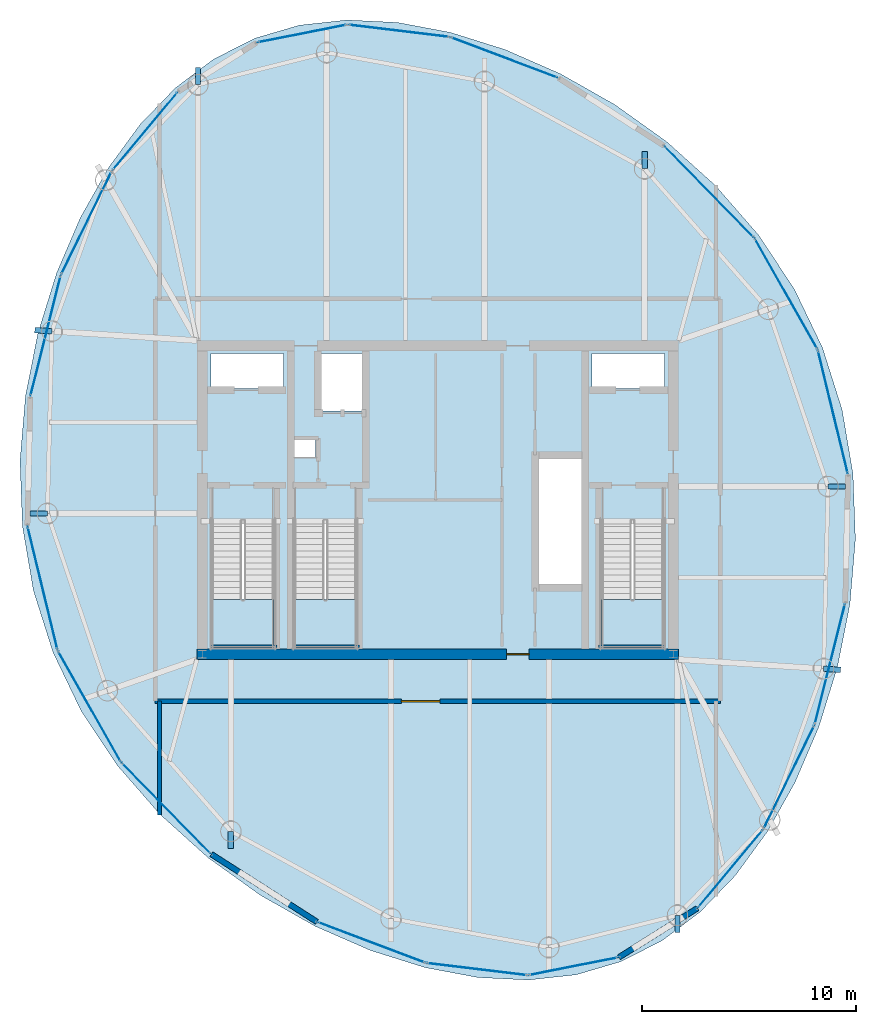
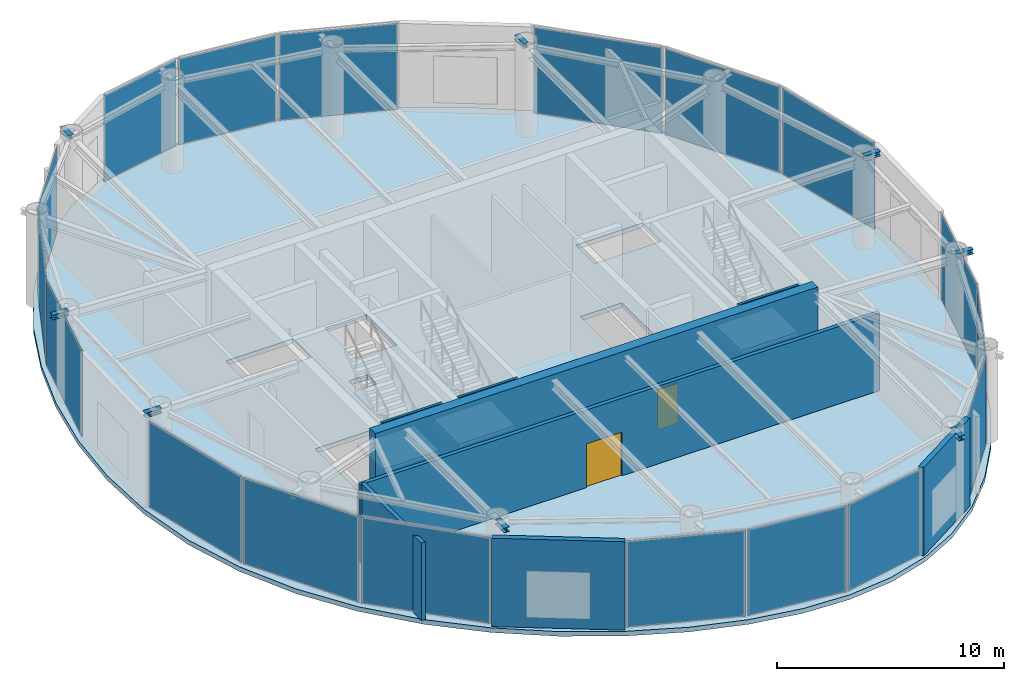
# One storey, part 17 of 23: 18 plates, 8 beams, 8 walls, 4 slabs, 2 doors, 2 openings, 21 elements without a shape of their own.
"""IFC4 building model written with IfcOpenShell, lengths in metres."""

import ifcopenshell
import ifcopenshell.guid

model = None  # the IFC model being written
_history = None  # IfcOwnerHistory: only IFC2X3 demands one
_inside = {}  # id of a spatial element -> (the spatial element, [elements in it])
_under = {}  # id of a project, library or spatial element -> (it, [spatial elements below it])
_declared = {}  # id of a project -> (the project, [libraries it declares])
_typed = {}  # id of a type object -> (the type object, [elements of that type])
_made_of = {}  # id of a material, layer set ... -> (it, [elements and type objects made of it])


def new_model(schema):
    """Start an empty IFC model of exactly this schema.

    Asked for "IFC4X3", IfcOpenShell would pick the latest addendum, in which some entities
    have other attributes; the version numbers below select the first issue.
    IFC2X3 requires an IfcOwnerHistory on every rooted entity: one is made here for all.
    """
    global model, _history
    if schema == "IFC4X3":
        model = ifcopenshell.file(schema_version=(4, 3, 0, 0))
    else:
        model = ifcopenshell.file(schema=schema)
    _inside.clear()
    _under.clear()
    _declared.clear()
    _typed.clear()
    _made_of.clear()
    _history = None
    if model.schema == "IFC2X3":
        org = make("IfcOrganization", Name="unknown")
        user = make(
            "IfcPersonAndOrganization",
            ThePerson=make("IfcPerson", FamilyName="unknown"),
            TheOrganization=org,
        )
        app = make(
            "IfcApplication",
            ApplicationDeveloper=org,
            Version="unknown",
            ApplicationFullName="unknown",
            ApplicationIdentifier="unknown",
        )
        _history = make(
            "IfcOwnerHistory",
            OwningUser=user,
            OwningApplication=app,
            ChangeAction="ADDED",
            CreationDate=0,
        )
    return model


def make(cls, **values):
    """One entity of the class cls with the attributes given. An attribute that is None is left unset."""
    return model.create_entity(
        cls, **{name: value for name, value in values.items() if value is not None}
    )


def rooted(cls, **values):
    """An entity with a GlobalId (a new one), such as an element, a storey or a relation."""
    return make(cls, GlobalId=ifcopenshell.guid.new(), OwnerHistory=_history, **values)


def si_unit(unit_type, name, prefix=None):
    """IfcSIUnit, for example si_unit("LENGTHUNIT", "METRE", prefix="MILLI")."""
    return make("IfcSIUnit", UnitType=unit_type, Prefix=prefix, Name=name)


def assignment(units):
    """IfcUnitAssignment: the units of a project."""
    return None if units is None else make("IfcUnitAssignment", Units=units)


def point(xyz):
    """IfcCartesianPoint."""
    return None if xyz is None else make("IfcCartesianPoint", Coordinates=xyz)


def direction(xyz):
    """IfcDirection."""
    return None if xyz is None else make("IfcDirection", DirectionRatios=xyz)


def frame(location, z_axis=None, x_axis=None):
    """IfcAxis2Placement3D, a coordinate frame: its origin and axes. An axis left out is left unset."""
    return make(
        "IfcAxis2Placement3D",
        Location=point(location),
        Axis=direction(z_axis),
        RefDirection=direction(x_axis),
    )


def frame_2d(location, x_axis=None):
    """IfcAxis2Placement2D, a coordinate frame in the plane: its origin and x axis."""
    return make(
        "IfcAxis2Placement2D", Location=point(location), RefDirection=direction(x_axis)
    )


def origin():
    """The frame at (0, 0, 0) with its axes left unset."""
    return frame((0.0, 0.0, 0.0))


def origin_2d():
    """The frame at (0, 0) in the plane with its x axis left unset."""
    return frame_2d((0.0, 0.0))


def place(relative_to, where):
    """IfcLocalPlacement: puts the frame where relative to a parent placement (None: the world)."""
    return make(
        "IfcLocalPlacement", PlacementRelTo=relative_to, RelativePlacement=where
    )


def context(
    kind, dimensions, precision=None, world=None, true_north=None, identifier=None
):
    """IfcGeometricRepresentationContext, for example the 3D "Model" context."""
    return make(
        "IfcGeometricRepresentationContext",
        ContextIdentifier=identifier,
        ContextType=kind,
        CoordinateSpaceDimension=dimensions,
        Precision=precision,
        WorldCoordinateSystem=world,
        TrueNorth=true_north,
    )


def subcontext(parent, identifier, kind, view, scale=None):
    """IfcGeometricRepresentationSubContext, for example "Body" below "Model"."""
    return make(
        "IfcGeometricRepresentationSubContext",
        ContextIdentifier=identifier,
        ContextType=kind,
        ParentContext=parent,
        TargetScale=scale,
        TargetView=view,
    )


def project(units=None, contexts=None):
    """IfcProject with its units and contexts."""
    return rooted(
        "IfcProject",
        Name="project",
        RepresentationContexts=contexts,
        UnitsInContext=assignment(units),
    )


def spatial(cls, under=None, at=None, **own):
    """A site, building, storey or space (cls), placed at a placement, below another one or the project."""
    s = rooted(cls, ObjectPlacement=at, **own)
    if under is not None:
        _under.setdefault(under.id(), (under, []))[1].append(s)
    return s


def polyline(points):
    """IfcPolyline through the points."""
    return make("IfcPolyline", Points=[point(p) for p in points])


def profile(cls, at=None, kind="AREA", **sizes):
    """A parametric profile (cls). Its sizes go by their IFC names, for example OverallWidth=200.0."""
    return make(cls, ProfileType=kind, Position=at, **sizes)


def rectangle(**sizes):
    """IfcRectangleProfileDef."""
    return profile("IfcRectangleProfileDef", **sizes)


def i_section(**sizes):
    """IfcIShapeProfileDef."""
    return profile("IfcIShapeProfileDef", **sizes)


def outline(outer, holes=None, kind="AREA"):
    """IfcArbitraryClosedProfileDef: a profile drawn as a closed curve; with holes, ...WithVoids."""
    if holes is None:
        return make("IfcArbitraryClosedProfileDef", ProfileType=kind, OuterCurve=outer)
    return make(
        "IfcArbitraryProfileDefWithVoids",
        ProfileType=kind,
        OuterCurve=outer,
        InnerCurves=holes,
    )


def extrude(swept, where, along, depth):
    """IfcExtrudedAreaSolid: the profile swept, set in the frame where, extruded along a direction by depth."""
    return make(
        "IfcExtrudedAreaSolid",
        SweptArea=swept,
        Position=where,
        ExtrudedDirection=direction(along),
        Depth=depth,
    )


def shape(context_of_items, identifier, shape_type, items):
    """IfcShapeRepresentation: the items that make up one representation, for example the "Body"."""
    return make(
        "IfcShapeRepresentation",
        ContextOfItems=context_of_items,
        RepresentationIdentifier=identifier,
        RepresentationType=shape_type,
        Items=items,
    )


def material(Name=None, Category=None):
    """IfcMaterial."""
    return make("IfcMaterial", Name=Name, Category=Category)


def layer(
    of_material, thickness, ventilated=None, Name=None, Category=None, Priority=None
):
    """IfcMaterialLayer: one layer of a wall or slab, of a material (None: an air gap)."""
    return make(
        "IfcMaterialLayer",
        Material=of_material,
        LayerThickness=thickness,
        IsVentilated=ventilated,
        Name=Name,
        Category=Category,
        Priority=Priority,
    )


def layer_set(layers, Name=None):
    """IfcMaterialLayerSet."""
    return make("IfcMaterialLayerSet", MaterialLayers=layers, LayerSetName=Name)


def material_profile(
    of_material, cross_section, Name=None, Category=None, Priority=None
):
    """IfcMaterialProfile: a cross section and its material."""
    return make(
        "IfcMaterialProfile",
        Name=Name,
        Material=of_material,
        Profile=cross_section,
        Priority=Priority,
        Category=Category,
    )


def profile_set(profiles, Name=None, composite=None):
    """IfcMaterialProfileSet."""
    return make(
        "IfcMaterialProfileSet",
        Name=Name,
        MaterialProfiles=profiles,
        CompositeProfile=composite,
    )


def made_of(thing, what):
    """Note that an element or type object is made of a material, layer set ...; save() writes the relation."""
    if what is not None:
        _made_of.setdefault(what.id(), (what, []))[1].append(thing)
    return thing


def type_object(cls, material=None, **own):
    """A type object (cls), such as IfcWallType, which elements share."""
    return made_of(rooted(cls, **own), material)


def element(
    cls,
    number,
    at=None,
    inside=None,
    cuts=None,
    type_object=None,
    material=None,
    context=None,
    identifier="Body",
    shape_type=None,
    held_by="IfcProductDefinitionShape",
    body=None,
    shapes=None,
    **own,
):
    """One element of the class cls, such as IfcWall. Its Tag is "e" and its number.

    at: its placement. inside: the storey or other place that contains it. cuts: it is an
    opening in that element (IfcRelVoidsElement). A single representation is given by context,
    identifier, shape_type and body (its items); several are given by shapes. held_by: the class
    of the entity that holds the representations. save() writes the other relations.
    """
    e = rooted(cls, Tag="e%d" % number, ObjectPlacement=at, **own)
    if body is not None:
        shapes = [shape(context, identifier, shape_type, body)]
    if shapes is not None:
        e.Representation = make(held_by, Representations=shapes)
    if inside is not None:
        _inside.setdefault(inside.id(), (inside, []))[1].append(e)
    if cuts is not None:
        rooted(
            "IfcRelVoidsElement", RelatingBuildingElement=cuts, RelatedOpeningElement=e
        )
    if type_object is not None:
        _typed.setdefault(type_object.id(), (type_object, []))[1].append(e)
    return made_of(e, material)


def fill(opening, filler):
    """IfcRelFillsElement: the door or window that sits in an opening."""
    return rooted(
        "IfcRelFillsElement",
        RelatingOpeningElement=opening,
        RelatedBuildingElement=filler,
    )


def aggregate(whole, parts):
    """IfcRelAggregates: a whole, such as a stair, and the parts it consists of."""
    return rooted("IfcRelAggregates", RelatingObject=whole, RelatedObjects=parts)


def save(model, path):
    """Write the relations noted so far, then the file.

    IfcRelAggregates (storeys below a building ...), IfcRelContainedInSpatialStructure (elements
    in a storey), IfcRelDefinesByType, IfcRelAssociatesMaterial and IfcRelDeclares: one each for
    every whole, place, type object, material and project.
    """
    for whole, parts in _under.values():
        aggregate(whole, parts)
    for where, things in _inside.values():
        rooted(
            "IfcRelContainedInSpatialStructure",
            RelatedElements=things,
            RelatingStructure=where,
        )
    for kind, things in _typed.values():
        rooted("IfcRelDefinesByType", RelatedObjects=things, RelatingType=kind)
    for what, things in _made_of.values():
        rooted("IfcRelAssociatesMaterial", RelatedObjects=things, RelatingMaterial=what)
    for by, libraries in _declared.values():
        rooted("IfcRelDeclares", RelatingContext=by, RelatedDefinitions=libraries)
    model.write(path)


model = new_model("IFC4")

# Units and contexts
model_context = context("Model", 3, precision=1e-05, world=origin(), true_north=direction((0.0, 1.0)))
body_context = subcontext(model_context, "Body", "Model", "MODEL_VIEW")
ifc_project = project(units=[si_unit("LENGTHUNIT", "METRE"), si_unit("AREAUNIT", "SQUARE_METRE"), si_unit("VOLUMEUNIT", "CUBIC_METRE"), si_unit("PLANEANGLEUNIT", "RADIAN"), si_unit("MASSUNIT", "GRAM", prefix="KILO")], contexts=[model_context])

# Site, building, storey
site_placement = place(None, origin())
site = spatial("IfcSite", under=ifc_project, at=site_placement, CompositionType="ELEMENT")
building_placement = place(site_placement, origin())
building = spatial("IfcBuilding", under=site, at=building_placement, Name="Bramvorn Convention Spire", CompositionType="ELEMENT")
storey_placement = place(building_placement, frame((0.0, 0.0, 307.5)))
storey = spatial("IfcBuildingStorey", under=building, at=storey_placement, Name="L78", CompositionType="ELEMENT", Elevation=307.5)

# Beams
ifc_material_1 = material(Name="Steel CSA G40.21 Grade 350 (350W)", Category="steel")
ifc_material_profile = material_profile(ifc_material_1, i_section(OverallWidth=0.25390625, OverallDepth=0.2529296875, WebThickness=0.008544921875, FlangeThickness=0.01416015625, FilletRadius=0.011962890625, at=origin_2d()))
ifc_profile_set = profile_set([ifc_material_profile], Name="Steel CSA G40.21 Grade 350 (350W) - W250X73")
beam_type = type_object("IfcBeamType", Name="BM-W250X73", PredefinedType="BEAM", material=ifc_profile_set)
for number, where, z_axis, x_axis, name in (
    (1, (49.199951171875, 6.60107421875, 4.62353515625), (0.0, -1.0, 0.0), (1.0, 0.0, 0.0), "L78 slab-edge cantilever tip beam MC01"),
    (2, (56.023681640625, 18.116455078125, 4.62353515625), (0.997963713083, -0.063784225087, 0.0), (0.063784225087, 0.997963713083, 0.0), "L78 slab-edge cantilever tip beam MC03"),
):
    element("IfcBeam", number, at=place(storey_placement, frame(where, z_axis=z_axis, x_axis=x_axis)), inside=storey, type_object=beam_type, Name=name, PredefinedType="BEAM", context=body_context, shape_type="SweptSolid", body=[
        extrude(i_section(OverallWidth=0.25390625, OverallDepth=0.2529296875, WebThickness=0.008544921875, FlangeThickness=0.01416015625, FilletRadius=0.011962890625, at=origin_2d()), origin(), (0.0, 0.0, 1.0), 0.800048828125),
    ])
beam_1_placement = place(storey_placement, frame((56.234619140625, 26.62939453125, 4.62353515625), z_axis=(1.0, 0.0, 0.0), x_axis=(0.0, 1.0, 0.0)))
element("IfcBeam", 3, at=beam_1_placement, inside=storey, type_object=beam_type, Name="L78 slab-edge cantilever tip beam MC04", PredefinedType="BEAM", context=body_context, shape_type="SweptSolid", body=[
    extrude(i_section(OverallWidth=0.25390625, OverallDepth=0.2529296875, WebThickness=0.008544921875, FlangeThickness=0.01416015625, FilletRadius=0.011962890625, at=origin_2d()), origin(), (0.0, 0.0, 1.0), 0.81298828125),
])
for number, where, z_axis, x_axis, name in (
    (4, (47.662353515625, 41.476806640625, 4.62353515625), (0.0, 1.0, 0.0), (-1.0, 0.0, 0.0), "L78 slab-edge cantilever tip beam MC06"),
    (5, (26.800048828125, 45.39892578125, 4.62353515625), (0.0, 1.0, 0.0), (-1.0, 0.0, 0.0), "L78 slab-edge cantilever tip beam MC09"),
    (6, (19.976318359375, 33.883544921875, 4.62353515625), (-0.997963713083, 0.063784225087, 0.0), (-0.063784225087, -0.997963713083, 0.0), "L78 slab-edge cantilever tip beam MC11"),
):
    element("IfcBeam", number, at=place(storey_placement, frame(where, z_axis=z_axis, x_axis=x_axis)), inside=storey, type_object=beam_type, Name=name, PredefinedType="BEAM", context=body_context, shape_type="SweptSolid", body=[
        extrude(i_section(OverallWidth=0.25390625, OverallDepth=0.2529296875, WebThickness=0.008544921875, FlangeThickness=0.01416015625, FilletRadius=0.011962890625, at=origin_2d()), origin(), (0.0, 0.0, 1.0), 0.800048828125),
    ])
beam_2_placement = place(storey_placement, frame((19.765380859375, 25.37060546875, 4.62353515625), z_axis=(-1.0, 0.0, 0.0), x_axis=(0.0, -1.0, 0.0)))
element("IfcBeam", 7, at=beam_2_placement, inside=storey, type_object=beam_type, Name="L78 slab-edge cantilever tip beam MC12", PredefinedType="BEAM", context=body_context, shape_type="SweptSolid", body=[
    extrude(i_section(OverallWidth=0.25390625, OverallDepth=0.2529296875, WebThickness=0.008544921875, FlangeThickness=0.01416015625, FilletRadius=0.011962890625, at=origin_2d()), origin(), (0.0, 0.0, 1.0), 0.81298828125),
])
beam_3_placement = place(storey_placement, frame((28.337646484375, 10.523193359375, 4.62353515625), z_axis=(0.0, -1.0, 0.0), x_axis=(1.0, 0.0, 0.0)))
element("IfcBeam", 8, at=beam_3_placement, inside=storey, type_object=beam_type, Name="L78 slab-edge cantilever tip beam MC14", PredefinedType="BEAM", context=body_context, shape_type="SweptSolid", body=[
    extrude(i_section(OverallWidth=0.25390625, OverallDepth=0.2529296875, WebThickness=0.008544921875, FlangeThickness=0.01416015625, FilletRadius=0.011962890625, at=origin_2d()), origin(), (0.0, 0.0, 1.0), 0.800048828125),
])

# Curtain wall, plate
ifc_material_2 = material(Name="Anodised Bronze Unitised Curtain Wall", Category="aluminium")
ifc_layer_1 = layer(ifc_material_2, 0.199951171875)
ifc_layer_set_1 = layer_set([ifc_layer_1], Name="Anodised Bronze Unitised Curtain Wall - CW-PLANT-LOUVRE")
curtain_wall_type = type_object("IfcCurtainWallType", Name="CW-PLANT-LOUVRE", PredefinedType="USERDEFINED", material=ifc_layer_set_1)
curtain_wall_1_placement = place(storey_placement, origin())
curtain_wall_1 = element("IfcCurtainWall", 9, at=curtain_wall_1_placement, inside=storey, type_object=curtain_wall_type, Name="L78 fritted glass curtain wall 02", ObjectType="UNITISED CURTAIN WALL", PredefinedType="USERDEFINED")
ifc_material_3 = material(Name="Laminated Low-E Glass (Triple IGU High-VLT Low-Iron 22%)", Category="glass")
ifc_layer_2 = layer(ifc_material_3, 0.0419921875)
ifc_layer_set_2 = layer_set([ifc_layer_2], Name="Laminated Low-E Glass (Triple IGU High-VLT Low-Iron 22%) - PNL-IGU-4")
plate_type = type_object("IfcPlateType", Name="PNL-IGU-4", PredefinedType="CURTAIN_PANEL", material=ifc_layer_set_2)
plate_1_placement = place(storey_placement, frame((51.673828125, 8.77490234375, 0.06005859375), z_axis=(0.0, 0.0, 1.0), x_axis=(-0.641400180364, -0.767206496733, 0.0)))
plate_1 = element("IfcPlate", 10, at=plate_1_placement, type_object=plate_type, Name="CW5 panel 1.1", PredefinedType="CURTAIN_PANEL", context=body_context, shape_type="SweptSolid", body=[
    extrude(rectangle(XDim=4.690673828125, YDim=0.028076171875, at=origin_2d()), origin(), (0.0, 0.0, 1.0), 4.6298828125),
])
aggregate(curtain_wall_1, [plate_1])

curtain_wall_2_placement = place(storey_placement, origin())
curtain_wall_2 = element("IfcCurtainWall", 11, at=curtain_wall_2_placement, inside=storey, type_object=curtain_wall_type, Name="L78 fritted glass curtain wall 03", ObjectType="UNITISED CURTAIN WALL", PredefinedType="USERDEFINED")
plate_2_placement = place(storey_placement, frame((54.4111328125, 13.05712890625, 0.06005859375), z_axis=(0.0, 0.0, 1.0), x_axis=(-0.440139449377, -0.897929432139, 0.0)))
plate_2 = element("IfcPlate", 12, at=plate_2_placement, type_object=plate_type, Name="CW5 panel 1.1", PredefinedType="CURTAIN_PANEL", context=body_context, shape_type="SweptSolid", body=[
    extrude(rectangle(XDim=5.3076171875, YDim=0.028076171875, at=origin_2d()), origin(), (0.0, 0.0, 1.0), 4.6298828125),
])
aggregate(curtain_wall_2, [plate_2])

curtain_wall_3_placement = place(storey_placement, origin())
curtain_wall_3 = element("IfcCurtainWall", 13, at=curtain_wall_3_placement, inside=storey, type_object=curtain_wall_type, Name="L78 fritted glass curtain wall 04", ObjectType="UNITISED CURTAIN WALL", PredefinedType="USERDEFINED")
plate_3_placement = place(storey_placement, frame((56.3203125, 18.33642578125, 0.06005859375), z_axis=(0.0, 0.0, 1.0), x_axis=(-0.243912156981, -0.969797329176, 0.0)))
plate_3 = element("IfcPlate", 14, at=plate_3_placement, type_object=plate_type, Name="CW5 panel 1.1", PredefinedType="CURTAIN_PANEL", context=body_context, shape_type="SweptSolid", body=[
    extrude(rectangle(XDim=5.741943359375, YDim=0.028076171875, at=origin_2d()), origin(), (0.0, 0.0, 1.0), 4.6298828125),
])
aggregate(curtain_wall_3, [plate_3])

curtain_wall_4_placement = place(storey_placement, origin())
curtain_wall_4 = element("IfcCurtainWall", 15, at=curtain_wall_4_placement, inside=storey, type_object=curtain_wall_type, Name="L78 fritted glass curtain wall 06", ObjectType="UNITISED CURTAIN WALL", PredefinedType="USERDEFINED")
plate_4_placement = place(storey_placement, frame((56.460693359375, 30.110595703125, 0.06005859375), z_axis=(0.0, 0.0, 1.0), x_axis=(0.235504713711, -0.971873206658, 0.0)))
plate_4 = element("IfcPlate", 16, at=plate_4_placement, type_object=plate_type, Name="CW5 panel 1.1", PredefinedType="CURTAIN_PANEL", context=body_context, shape_type="SweptSolid", body=[
    extrude(rectangle(XDim=5.8857421875, YDim=0.028076171875, at=origin_2d()), origin(), (0.0, 0.0, 1.0), 4.6298828125),
])
aggregate(curtain_wall_4, [plate_4])

curtain_wall_5_placement = place(storey_placement, origin())
curtain_wall_5 = element("IfcCurtainWall", 17, at=curtain_wall_5_placement, inside=storey, type_object=curtain_wall_type, Name="L78 fritted glass curtain wall 07", ObjectType="UNITISED CURTAIN WALL", PredefinedType="USERDEFINED")
plate_5_placement = place(storey_placement, frame((54.271240234375, 35.640625, 0.06005859375), z_axis=(0.0, 0.0, 1.0), x_axis=(0.493622878275, -0.869676062706, 0.0)))
plate_5 = element("IfcPlate", 18, at=plate_5_placement, type_object=plate_type, Name="CW5 panel 1.1", PredefinedType="CURTAIN_PANEL", context=body_context, shape_type="SweptSolid", body=[
    extrude(rectangle(XDim=5.8857421875, YDim=0.028076171875, at=origin_2d()), origin(), (0.0, 0.0, 1.0), 4.6298828125),
])
aggregate(curtain_wall_5, [plate_5])

curtain_wall_6_placement = place(storey_placement, origin())
curtain_wall_6 = element("IfcCurtainWall", 19, at=curtain_wall_6_placement, inside=storey, type_object=curtain_wall_type, Name="L78 fritted glass curtain wall 08", ObjectType="UNITISED CURTAIN WALL", PredefinedType="USERDEFINED")
plate_6_placement = place(storey_placement, frame((50.682373046875, 40.398681640625, 0.06005859375), z_axis=(0.0, 0.0, 1.0), x_axis=(0.700442155125, -0.713709175592, 0.0)))
plate_6 = element("IfcPlate", 20, at=plate_6_placement, type_object=plate_type, Name="CW5 panel 1.1", PredefinedType="CURTAIN_PANEL", context=body_context, shape_type="SweptSolid", body=[
    extrude(rectangle(XDim=5.89501953125, YDim=0.028076171875, at=origin_2d()), origin(), (0.0, 0.0, 1.0), 4.6298828125),
])
aggregate(curtain_wall_6, [plate_6])

curtain_wall_7_placement = place(storey_placement, origin())
curtain_wall_7 = element("IfcCurtainWall", 21, at=curtain_wall_7_placement, inside=storey, type_object=curtain_wall_type, Name="L78 fritted glass curtain wall 10", ObjectType="UNITISED CURTAIN WALL", PredefinedType="USERDEFINED")
plate_7_placement = place(storey_placement, frame((41.103271484375, 46.669189453125, 0.06005859375), z_axis=(0.0, 0.0, 1.0), x_axis=(0.935523383226, -0.353264772427, 0.0)))
plate_7 = element("IfcPlate", 22, at=plate_7_placement, type_object=plate_type, Name="CW5 panel 1.1", PredefinedType="CURTAIN_PANEL", context=body_context, shape_type="SweptSolid", body=[
    extrude(rectangle(XDim=5.3076171875, YDim=0.028076171875, at=origin_2d()), origin(), (0.0, 0.0, 1.0), 4.6298828125),
])
aggregate(curtain_wall_7, [plate_7])

curtain_wall_8_placement = place(storey_placement, origin())
curtain_wall_8 = element("IfcCurtainWall", 23, at=curtain_wall_8_placement, inside=storey, type_object=curtain_wall_type, Name="L78 fritted glass curtain wall 11", ObjectType="UNITISED CURTAIN WALL", PredefinedType="USERDEFINED")
plate_8_placement = place(storey_placement, frame((36.176513671875, 47.9169921875, 0.06005859375), z_axis=(0.0, 0.0, 1.0), x_axis=(0.992750477747, -0.120193547798, 0.0)))
plate_8 = element("IfcPlate", 24, at=plate_8_placement, type_object=plate_type, Name="CW5 panel 1.1", PredefinedType="CURTAIN_PANEL", context=body_context, shape_type="SweptSolid", body=[
    extrude(rectangle(XDim=4.690673828125, YDim=0.028076171875, at=origin_2d()), origin(), (0.0, 0.0, 1.0), 4.6298828125),
])
aggregate(curtain_wall_8, [plate_8])

curtain_wall_9_placement = place(storey_placement, origin())
curtain_wall_9 = element("IfcCurtainWall", 25, at=curtain_wall_9_placement, inside=storey, type_object=curtain_wall_type, Name="L78 fritted glass curtain wall 12", ObjectType="UNITISED CURTAIN WALL", PredefinedType="USERDEFINED")
plate_9_placement = place(storey_placement, frame((31.66455078125, 47.7861328125, 0.06005859375), z_axis=(0.0, 0.0, 1.0), x_axis=(0.981018747273, 0.193912912149, 0.0)))
plate_9 = element("IfcPlate", 26, at=plate_9_placement, type_object=plate_type, Name="CW5 panel 1.1", PredefinedType="CURTAIN_PANEL", context=body_context, shape_type="SweptSolid", body=[
    extrude(rectangle(XDim=4.210205078125, YDim=0.028076171875, at=origin_2d()), origin(), (0.0, 0.0, 1.0), 4.6298828125),
])
aggregate(curtain_wall_9, [plate_9])

curtain_wall_10_placement = place(storey_placement, origin())
curtain_wall_10 = element("IfcCurtainWall", 27, at=curtain_wall_10_placement, inside=storey, type_object=curtain_wall_type, Name="L78 fritted glass curtain wall 14", ObjectType="UNITISED CURTAIN WALL", PredefinedType="USERDEFINED")
plate_10_placement = place(storey_placement, frame((24.326171875, 43.22509765625, 0.06005859375), z_axis=(0.0, 0.0, 1.0), x_axis=(0.641400180364, 0.767206496733, 0.0)))
plate_10 = element("IfcPlate", 28, at=plate_10_placement, type_object=plate_type, Name="CW5 panel 1.1", PredefinedType="CURTAIN_PANEL", context=body_context, shape_type="SweptSolid", body=[
    extrude(rectangle(XDim=4.690673828125, YDim=0.028076171875, at=origin_2d()), origin(), (0.0, 0.0, 1.0), 4.6298828125),
])
aggregate(curtain_wall_10, [plate_10])

curtain_wall_11_placement = place(storey_placement, origin())
curtain_wall_11 = element("IfcCurtainWall", 29, at=curtain_wall_11_placement, inside=storey, type_object=curtain_wall_type, Name="L78 fritted glass curtain wall 15", ObjectType="UNITISED CURTAIN WALL", PredefinedType="USERDEFINED")
plate_11_placement = place(storey_placement, frame((21.5888671875, 38.94287109375, 0.06005859375), z_axis=(0.0, 0.0, 1.0), x_axis=(0.440139449377, 0.897929432139, 0.0)))
plate_11 = element("IfcPlate", 30, at=plate_11_placement, type_object=plate_type, Name="CW5 panel 1.1", PredefinedType="CURTAIN_PANEL", context=body_context, shape_type="SweptSolid", body=[
    extrude(rectangle(XDim=5.3076171875, YDim=0.028076171875, at=origin_2d()), origin(), (0.0, 0.0, 1.0), 4.6298828125),
])
aggregate(curtain_wall_11, [plate_11])

curtain_wall_12_placement = place(storey_placement, origin())
curtain_wall_12 = element("IfcCurtainWall", 31, at=curtain_wall_12_placement, inside=storey, type_object=curtain_wall_type, Name="L78 fritted glass curtain wall 16", ObjectType="UNITISED CURTAIN WALL", PredefinedType="USERDEFINED")
plate_12_placement = place(storey_placement, frame((19.6796875, 33.66357421875, 0.06005859375), z_axis=(0.0, 0.0, 1.0), x_axis=(0.243912156981, 0.969797329176, 0.0)))
plate_12 = element("IfcPlate", 32, at=plate_12_placement, type_object=plate_type, Name="CW5 panel 1.1", PredefinedType="CURTAIN_PANEL", context=body_context, shape_type="SweptSolid", body=[
    extrude(rectangle(XDim=5.741943359375, YDim=0.028076171875, at=origin_2d()), origin(), (0.0, 0.0, 1.0), 4.6298828125),
])
aggregate(curtain_wall_12, [plate_12])

curtain_wall_13_placement = place(storey_placement, origin())
curtain_wall_13 = element("IfcCurtainWall", 33, at=curtain_wall_13_placement, inside=storey, type_object=curtain_wall_type, Name="L78 fritted glass curtain wall 18", ObjectType="UNITISED CURTAIN WALL", PredefinedType="USERDEFINED")
plate_13_placement = place(storey_placement, frame((19.539306640625, 21.889404296875, 0.06005859375), z_axis=(0.0, 0.0, 1.0), x_axis=(-0.235504713711, 0.971873206658, 0.0)))
plate_13 = element("IfcPlate", 34, at=plate_13_placement, type_object=plate_type, Name="CW5 panel 1.1", PredefinedType="CURTAIN_PANEL", context=body_context, shape_type="SweptSolid", body=[
    extrude(rectangle(XDim=5.8857421875, YDim=0.028076171875, at=origin_2d()), origin(), (0.0, 0.0, 1.0), 4.6298828125),
])
aggregate(curtain_wall_13, [plate_13])

curtain_wall_14_placement = place(storey_placement, origin())
curtain_wall_14 = element("IfcCurtainWall", 35, at=curtain_wall_14_placement, inside=storey, type_object=curtain_wall_type, Name="L78 fritted glass curtain wall 19", ObjectType="UNITISED CURTAIN WALL", PredefinedType="USERDEFINED")
plate_14_placement = place(storey_placement, frame((21.728759765625, 16.359375, 0.06005859375), z_axis=(0.0, 0.0, 1.0), x_axis=(-0.493622878275, 0.869676062706, 0.0)))
plate_14 = element("IfcPlate", 36, at=plate_14_placement, type_object=plate_type, Name="CW5 panel 1.1", PredefinedType="CURTAIN_PANEL", context=body_context, shape_type="SweptSolid", body=[
    extrude(rectangle(XDim=5.8857421875, YDim=0.028076171875, at=origin_2d()), origin(), (0.0, 0.0, 1.0), 4.6298828125),
])
aggregate(curtain_wall_14, [plate_14])

curtain_wall_15_placement = place(storey_placement, origin())
curtain_wall_15 = element("IfcCurtainWall", 37, at=curtain_wall_15_placement, inside=storey, type_object=curtain_wall_type, Name="L78 fritted glass curtain wall 20", ObjectType="UNITISED CURTAIN WALL", PredefinedType="USERDEFINED")
plate_15_placement = place(storey_placement, frame((25.317626953125, 11.601318359375, 0.06005859375), z_axis=(0.0, 0.0, 1.0), x_axis=(-0.700442155125, 0.713709175592, 0.0)))
plate_15 = element("IfcPlate", 38, at=plate_15_placement, type_object=plate_type, Name="CW5 panel 1.1", PredefinedType="CURTAIN_PANEL", context=body_context, shape_type="SweptSolid", body=[
    extrude(rectangle(XDim=5.89501953125, YDim=0.028076171875, at=origin_2d()), origin(), (0.0, 0.0, 1.0), 4.6298828125),
])
aggregate(curtain_wall_15, [plate_15])

curtain_wall_16_placement = place(storey_placement, origin())
curtain_wall_16 = element("IfcCurtainWall", 39, at=curtain_wall_16_placement, inside=storey, type_object=curtain_wall_type, Name="L78 fritted glass curtain wall 22", ObjectType="UNITISED CURTAIN WALL", PredefinedType="USERDEFINED")
plate_16_placement = place(storey_placement, frame((34.896728515625, 5.330810546875, 0.06005859375), z_axis=(0.0, 0.0, 1.0), x_axis=(-0.935523383226, 0.353264772427, 0.0)))
plate_16 = element("IfcPlate", 40, at=plate_16_placement, type_object=plate_type, Name="CW5 panel 1.1", PredefinedType="CURTAIN_PANEL", context=body_context, shape_type="SweptSolid", body=[
    extrude(rectangle(XDim=5.3076171875, YDim=0.028076171875, at=origin_2d()), origin(), (0.0, 0.0, 1.0), 4.6298828125),
])
aggregate(curtain_wall_16, [plate_16])

curtain_wall_17_placement = place(storey_placement, origin())
curtain_wall_17 = element("IfcCurtainWall", 41, at=curtain_wall_17_placement, inside=storey, type_object=curtain_wall_type, Name="L78 fritted glass curtain wall 23", ObjectType="UNITISED CURTAIN WALL", PredefinedType="USERDEFINED")
plate_17_placement = place(storey_placement, frame((39.823486328125, 4.0830078125, 0.06005859375), z_axis=(0.0, 0.0, 1.0), x_axis=(-0.992750477747, 0.120193547798, 0.0)))
plate_17 = element("IfcPlate", 42, at=plate_17_placement, type_object=plate_type, Name="CW5 panel 1.1", PredefinedType="CURTAIN_PANEL", context=body_context, shape_type="SweptSolid", body=[
    extrude(rectangle(XDim=4.690673828125, YDim=0.028076171875, at=origin_2d()), origin(), (0.0, 0.0, 1.0), 4.6298828125),
])
aggregate(curtain_wall_17, [plate_17])

curtain_wall_18_placement = place(storey_placement, origin())
curtain_wall_18 = element("IfcCurtainWall", 43, at=curtain_wall_18_placement, inside=storey, type_object=curtain_wall_type, Name="L78 fritted glass curtain wall 24", ObjectType="UNITISED CURTAIN WALL", PredefinedType="USERDEFINED")
plate_18_placement = place(storey_placement, frame((44.33544921875, 4.2138671875, 0.06005859375), z_axis=(0.0, 0.0, 1.0), x_axis=(-0.981018747273, -0.193912912149, 0.0)))
plate_18 = element("IfcPlate", 44, at=plate_18_placement, type_object=plate_type, Name="CW5 panel 1.1", PredefinedType="CURTAIN_PANEL", context=body_context, shape_type="SweptSolid", body=[
    extrude(rectangle(XDim=4.210205078125, YDim=0.028076171875, at=origin_2d()), origin(), (0.0, 0.0, 1.0), 4.6298828125),
])
aggregate(curtain_wall_18, [plate_18])

# Stair, slab
ifc_material_4 = material(Name="Concrete C40/50 Precast Stair", Category="concrete")
stair_type = type_object("IfcStairType", Name="ST-TOWER-1550", PredefinedType="HALF_TURN_STAIR", material=ifc_material_4)
stair_1_placement = place(storey_placement, origin())
stair_1 = element("IfcStair", 45, at=stair_1_placement, inside=storey, type_object=stair_type, Name="L78 Protected Exit Stair ST1", PredefinedType="HALF_TURN_STAIR")
ifc_material_5 = material(Name="Concrete C40/50 Stair Landing", Category="concrete")
ifc_layer_3 = layer(ifc_material_5, 0.219970703125)
ifc_layer_set_3 = layer_set([ifc_layer_3], Name="Concrete C40/50 Stair Landing - SLB-STAIR-LANDING")
slab_type_1 = type_object("IfcSlabType", Name="SLB-STAIR-LANDING", PredefinedType="LANDING", material=ifc_layer_set_3)
slab_1_placement = place(storey_placement, frame((0.0, 0.0, 2.300048828125)))
slab_1 = element("IfcSlab", 46, at=slab_1_placement, type_object=slab_type_1, Name="ST1 landing 1", PredefinedType="LANDING", context=body_context, shape_type="SweptSolid", body=[
    extrude(outline(polyline([(27.449951171875, 21.344970703125), (27.449951171875, 19.10009765625), (30.35009765625, 19.10009765625), (30.35009765625, 21.344970703125), (27.449951171875, 21.344970703125)])), origin(), (0.0, 0.0, 1.0), 0.199951171875),
])
aggregate(stair_1, [slab_1])

stair_2_placement = place(storey_placement, origin())
stair_2 = element("IfcStair", 47, at=stair_2_placement, inside=storey, type_object=stair_type, Name="L78 Protected Exit Stair ST2", PredefinedType="HALF_TURN_STAIR")
slab_2_placement = place(storey_placement, frame((0.0, 0.0, 2.300048828125)))
slab_2 = element("IfcSlab", 48, at=slab_2_placement, type_object=slab_type_1, Name="ST2 landing 1", PredefinedType="LANDING", context=body_context, shape_type="SweptSolid", body=[
    extrude(outline(polyline([(45.64990234375, 21.344970703125), (45.64990234375, 19.10009765625), (48.550048828125, 19.10009765625), (48.550048828125, 21.344970703125), (45.64990234375, 21.344970703125)])), origin(), (0.0, 0.0, 1.0), 0.199951171875),
])
aggregate(stair_2, [slab_2])

stair_3_placement = place(storey_placement, origin())
stair_3 = element("IfcStair", 49, at=stair_3_placement, inside=storey, type_object=stair_type, Name="L78 Protected Exit Stair ST3", PredefinedType="HALF_TURN_STAIR")
slab_3_placement = place(storey_placement, frame((0.0, 0.0, 2.300048828125)))
slab_3 = element("IfcSlab", 50, at=slab_3_placement, type_object=slab_type_1, Name="ST3 landing 1", PredefinedType="LANDING", context=body_context, shape_type="SweptSolid", body=[
    extrude(outline(polyline([(31.300048828125, 21.344970703125), (31.300048828125, 19.10009765625), (34.199951171875, 19.10009765625), (34.199951171875, 21.344970703125), (31.300048828125, 21.344970703125)])), origin(), (0.0, 0.0, 1.0), 0.199951171875),
])
aggregate(stair_3, [slab_3])

# Slab
ifc_material_6 = material(Name="Concrete C50/60", Category="concrete")
ifc_layer_4 = layer(ifc_material_6, 0.25)
ifc_layer_set_4 = layer_set([ifc_layer_4], Name="Concrete C50/60 - SLB-Z1-250")
slab_type_2 = type_object("IfcSlabType", Name="SLB-Z1-250", PredefinedType="FLOOR", material=ifc_layer_set_4)
slab_4_placement = place(storey_placement, frame((0.0, 0.0, -0.25)))
element("IfcSlab", 51, at=slab_4_placement, inside=storey, type_object=slab_type_2, Name="L78 tower floor slab", PredefinedType="FLOOR", context=body_context, shape_type="SweptSolid", body=[
    extrude(outline(polyline([(46.54052734375, 4.42919921875), (48.471923828125, 5.407470703125), (50.258544921875, 6.75146484375), (51.899169921875, 8.4501953125), (53.385009765625, 10.482177734375), (54.697509765625, 12.815185546875), (55.807373046875, 15.406494140625), (56.67626953125, 18.20458984375), (57.260009765625, 21.1494140625), (57.51416015625, 24.177490234375), (57.400146484375, 27.222900390625), (56.890380859375, 30.222412109375), (55.974365234375, 33.11669921875), (54.660888671875, 35.853515625), (52.979248046875, 38.388916015625), (50.9775390625, 40.68701171875), (48.719482421875, 42.72021484375), (46.278076171875, 44.467529296875), (43.729248046875, 45.912353515625), (41.146240234375, 47.04150390625), (38.59228515625, 47.84375), (36.118408203125, 48.307861328125), (33.759521484375, 48.423095703125), (31.537109375, 48.179931640625), (29.45947265625, 47.57080078125), (27.528076171875, 46.592529296875), (25.741455078125, 45.24853515625), (24.100830078125, 43.5498046875), (22.614990234375, 41.517822265625), (21.302490234375, 39.184814453125), (20.192626953125, 36.593505859375), (19.32373046875, 33.79541015625), (18.739990234375, 30.8505859375), (18.48583984375, 27.822509765625), (18.599853515625, 24.777099609375), (19.109619140625, 21.777587890625), (20.025634765625, 18.88330078125), (21.339111328125, 16.146484375), (23.020751953125, 13.611083984375), (25.0224609375, 11.31298828125), (27.280517578125, 9.27978515625), (29.721923828125, 7.532470703125), (32.270751953125, 6.087646484375), (34.853759765625, 4.95849609375), (37.40771484375, 4.15625), (39.881591796875, 3.692138671875), (42.240478515625, 3.576904296875), (44.462890625, 3.820068359375), (46.54052734375, 4.42919921875)]), holes=[polyline([(27.449951171875, 25.050048828125), (27.449951171875, 19.10009765625), (30.35009765625, 19.10009765625), (30.35009765625, 25.050048828125), (27.449951171875, 25.050048828125)]), polyline([(45.64990234375, 25.050048828125), (45.64990234375, 19.10009765625), (48.550048828125, 19.10009765625), (48.550048828125, 25.050048828125), (45.64990234375, 25.050048828125)]), polyline([(31.300048828125, 25.050048828125), (31.300048828125, 19.10009765625), (34.199951171875, 19.10009765625), (34.199951171875, 25.050048828125), (31.300048828125, 25.050048828125)]), polyline([(27.39990234375, 31.219970703125), (30.800048828125, 31.219970703125), (30.800048828125, 32.85009765625), (27.39990234375, 32.85009765625), (27.39990234375, 31.219970703125)]), polyline([(45.199951171875, 31.219970703125), (48.60009765625, 31.219970703125), (48.60009765625, 32.85009765625), (45.199951171875, 32.85009765625), (45.199951171875, 31.219970703125)]), polyline([(32.449951171875, 30.14990234375), (34.56005859375, 30.14990234375), (34.56005859375, 32.85009765625), (32.449951171875, 32.85009765625), (32.449951171875, 30.14990234375)]), polyline([(42.6201171875, 22.0), (44.75, 22.0), (44.75, 28.0), (42.6201171875, 28.0), (42.6201171875, 22.0)]), polyline([(31.320068359375, 28.02001953125), (32.280029296875, 28.02001953125), (32.280029296875, 28.820068359375), (31.320068359375, 28.820068359375), (31.320068359375, 28.02001953125)])]), origin(), (0.0, 0.0, 1.0), 0.25),
])

# Wall, opening, door
ifc_layer_5 = layer(ifc_material_6, 0.5)
ifc_layer_set_5 = layer_set([ifc_layer_5], Name="Concrete C50/60 - WL-CORE-500")
wall_type_1 = type_object("IfcWallType", Name="WL-CORE-500", PredefinedType="SHEAR", material=ifc_layer_set_5)
wall_1_placement = place(storey_placement, frame((26.75, 18.800048828125, 0.0), z_axis=(0.0, 0.0, 1.0), x_axis=(1.0, 0.0, 0.0)))
wall_1 = element("IfcWall", 52, at=wall_1_placement, inside=storey, type_object=wall_type_1, Name="L78 South RC core shear wall", PredefinedType="SHEAR", context=body_context, shape_type="SweptSolid", body=[
    extrude(rectangle(XDim=22.5, YDim=0.5, at=frame_2d((11.25, 0.0))), origin(), (0.0, 0.0, 1.0), 5.0),
])
opening_1_placement = place(wall_1_placement, frame((14.469970703125, 0.0, 0.0)))
opening_1 = element("IfcOpeningElement", 53, at=opening_1_placement, cuts=wall_1, Name="Opening DL-105", PredefinedType="OPENING", context=body_context, shape_type="SweptSolid", body=[
    extrude(rectangle(XDim=1.050048828125, YDim=2.14990234375, at=frame_2d((0.52490234375, 1.074951171875))), frame((0.0, 0.260009765625, 0.0), z_axis=(0.0, -1.0, 0.0), x_axis=(1.0, 0.0, 0.0)), (0.0, 0.0, 1.0), 0.52001953125),
])
ifc_material_7 = material(Name="Smoke-Sealed Fire Lobby Timber-Core Door", Category="wood")
door_type_1 = type_object("IfcDoorType", Name="DR-LOBBY-1050", OperationType="NOTDEFINED", PredefinedType="DOOR", material=ifc_material_7)
door_1_placement = place(opening_1_placement, origin())
door_1 = element("IfcDoor", 54, at=door_1_placement, inside=storey, type_object=door_type_1, Name="L78 South Lift Lobby fire door", OperationType="SINGLE_SWING_RIGHT", OverallHeight=2.14990234375, OverallWidth=1.050048828125, PredefinedType="DOOR", context=body_context, shape_type="SweptSolid", body=[
    extrude(rectangle(XDim=1.050048828125, YDim=2.14990234375, at=frame_2d((0.52490234375, 1.074951171875))), frame((0.0, 0.02490234375, 0.0), z_axis=(0.0, -1.0, 0.0), x_axis=(1.0, 0.0, 0.0)), (0.0, 0.0, 1.0), 0.050048828125),
])
fill(opening_1, door_1)

# Walls
ifc_material_8 = material(Name="Precast Concrete C40/50 Insulated Terrace Wall", Category="concrete")
ifc_layer_6 = layer(ifc_material_8, 0.280029296875)
ifc_layer_set_6 = layer_set([ifc_layer_6], Name="Precast Concrete C40/50 Insulated Terrace Wall - WL-EXT-TERR-280")
wall_type_2 = type_object("IfcWallType", Name="WL-EXT-TERR-280", PredefinedType="SOLIDWALL", material=ifc_layer_set_6)
wall_2_placement = place(storey_placement, frame((50.131103515625, 6.9296875, 0.0), z_axis=(0.0, 0.0, 1.0), x_axis=(-0.847881091343, -0.530186434137, 0.0)))
element("IfcWall", 55, at=wall_2_placement, inside=storey, type_object=wall_type_2, Name="L78 plant floor acoustic louvre breast wall 01", PredefinedType="SOLIDWALL", context=body_context, shape_type="SweptSolid", body=[
    extrude(rectangle(XDim=4.330322265625, YDim=0.260009765625, at=frame_2d((2.1650390625, 0.0))), origin(), (0.0, 0.0, 1.0), 4.75),
])
wall_3_placement = place(storey_placement, frame((32.35791015625, 6.28955078125, 0.0), z_axis=(0.0, 0.0, 1.0), x_axis=(-0.841668009181, 0.539995335463, 0.0)))
element("IfcWall", 56, at=wall_3_placement, inside=storey, type_object=wall_type_2, Name="L78 plant floor acoustic louvre breast wall 21", PredefinedType="SOLIDWALL", context=body_context, shape_type="SweptSolid", body=[
    extrude(rectangle(XDim=5.861572265625, YDim=0.260009765625, at=frame_2d((2.9306640625, 0.0))), origin(), (0.0, 0.0, 1.0), 4.75),
])

# Wall, opening, door
ifc_material_9 = material(Name="Gypsum Shaftwall & Rockwool Core Partition", Category="gypsum")
ifc_layer_7 = layer(ifc_material_9, 0.199951171875)
ifc_layer_set_7 = layer_set([ifc_layer_7], Name="Gypsum Shaftwall & Rockwool Core Partition - WL-PART-200-FR")
wall_type_3 = type_object("IfcWallType", Name="WL-PART-200-FR", PredefinedType="PARTITIONING", material=ifc_layer_set_7)
wall_4_placement = place(storey_placement, frame((24.800048828125, 16.60009765625, 0.0), z_axis=(0.0, 0.0, 1.0), x_axis=(1.0, 0.0, 0.0)))
wall_4 = element("IfcWall", 57, at=wall_4_placement, inside=storey, type_object=wall_type_3, Name="L78 Refuge corridor south wall", PredefinedType="PARTITIONING", context=body_context, shape_type="SweptSolid", body=[
    extrude(rectangle(XDim=26.39990234375, YDim=0.199951171875, at=frame_2d((13.199951171875, 0.0))), origin(), (0.0, 0.0, 1.0), 4.1650390625),
])
opening_2_placement = place(wall_4_placement, frame((11.5, 0.0, 0.0)))
opening_2 = element("IfcOpeningElement", 58, at=opening_2_placement, cuts=wall_4, Name="Opening DH-180", PredefinedType="OPENING", context=body_context, shape_type="SweptSolid", body=[
    extrude(rectangle(XDim=1.800048828125, YDim=2.35009765625, at=frame_2d((0.89990234375, 1.175048828125))), frame((0.0, 0.10986328125, 0.0), z_axis=(0.0, -1.0, 0.0), x_axis=(1.0, 0.0, 0.0)), (0.0, 0.0, 1.0), 0.219970703125),
])
ifc_material_10 = material(Name="Double-Leaf Acoustic Assembly Hall Door", Category="wood")
door_type_2 = type_object("IfcDoorType", Name="DR-HALL-1800", OperationType="NOTDEFINED", PredefinedType="DOOR", material=ifc_material_10)
door_2_placement = place(opening_2_placement, origin())
door_2 = element("IfcDoor", 59, at=door_2_placement, inside=storey, type_object=door_type_2, Name="L78 Pressurised Area of Refuge door", OperationType="DOUBLE_DOOR_SINGLE_SWING", OverallHeight=2.35009765625, OverallWidth=1.800048828125, PredefinedType="DOOR", context=body_context, shape_type="SweptSolid", body=[
    extrude(rectangle(XDim=1.800048828125, YDim=2.35009765625, at=frame_2d((0.89990234375, 1.175048828125))), frame((0.0, 0.02490234375, 0.0), z_axis=(0.0, -1.0, 0.0), x_axis=(1.0, 0.0, 0.0)), (0.0, 0.0, 1.0), 0.050048828125),
])
fill(opening_2, door_2)

# Walls
wall_5_placement = place(storey_placement, frame((25.0, 11.291015625, 0.0), z_axis=(0.0, 0.0, 1.0), x_axis=(0.0, 1.0, 0.0)))
element("IfcWall", 60, at=wall_5_placement, inside=storey, type_object=wall_type_3, Name="L78 Compartment fire wall", PredefinedType="PARTITIONING", context=body_context, shape_type="SweptSolid", body=[
    extrude(rectangle(XDim=5.30908203125, YDim=0.199951171875, at=frame_2d((2.654541015625, 0.0))), origin(), (0.0, 0.0, 1.0), 4.1650390625),
])
ifc_layer_8 = layer(ifc_material_6, 0.1201171875)
ifc_layer_set_8 = layer_set([ifc_layer_8], Name="Concrete C50/60 - WL-STAIR-RC-120")
wall_type_4 = type_object("IfcWallType", Name="WL-STAIR-RC-120", PredefinedType="SHEAR", material=ifc_layer_set_8)
for number, where, z_axis, x_axis, name in (
    (61, (27.39501953125, 19.159912109375, 0.0), (0.0, 0.0, 1.0), (1.0, 0.0, 0.0), "L78 ST1 south bearing shear wall"),
    (62, (45.510009765625, 19.159912109375, 0.0), (0.0, 0.0, 1.0), (1.0, 0.0, 0.0), "L78 ST2 south bearing shear wall"),
):
    element("IfcWall", number, at=place(storey_placement, frame(where, z_axis=z_axis, x_axis=x_axis)), inside=storey, type_object=wall_type_4, Name=name, PredefinedType="SHEAR", context=body_context, shape_type="SweptSolid", body=[
        extrude(rectangle(XDim=3.094970703125, YDim=0.1201171875, at=frame_2d((1.54736328125, 0.0))), origin(), (0.0, 0.0, 1.0), 5.0),
    ])
wall_6_placement = place(storey_placement, frame((31.300048828125, 19.159912109375, 0.0), z_axis=(0.0, 0.0, 1.0), x_axis=(1.0, 0.0, 0.0)))
element("IfcWall", 63, at=wall_6_placement, inside=storey, type_object=wall_type_4, Name="L78 ST3 south bearing shear wall", PredefinedType="SHEAR", context=body_context, shape_type="SweptSolid", body=[
    extrude(rectangle(XDim=3.0400390625, YDim=0.1201171875, at=frame_2d((1.52001953125, 0.0))), origin(), (0.0, 0.0, 1.0), 5.0),
])

save(model, "model.ifc")
